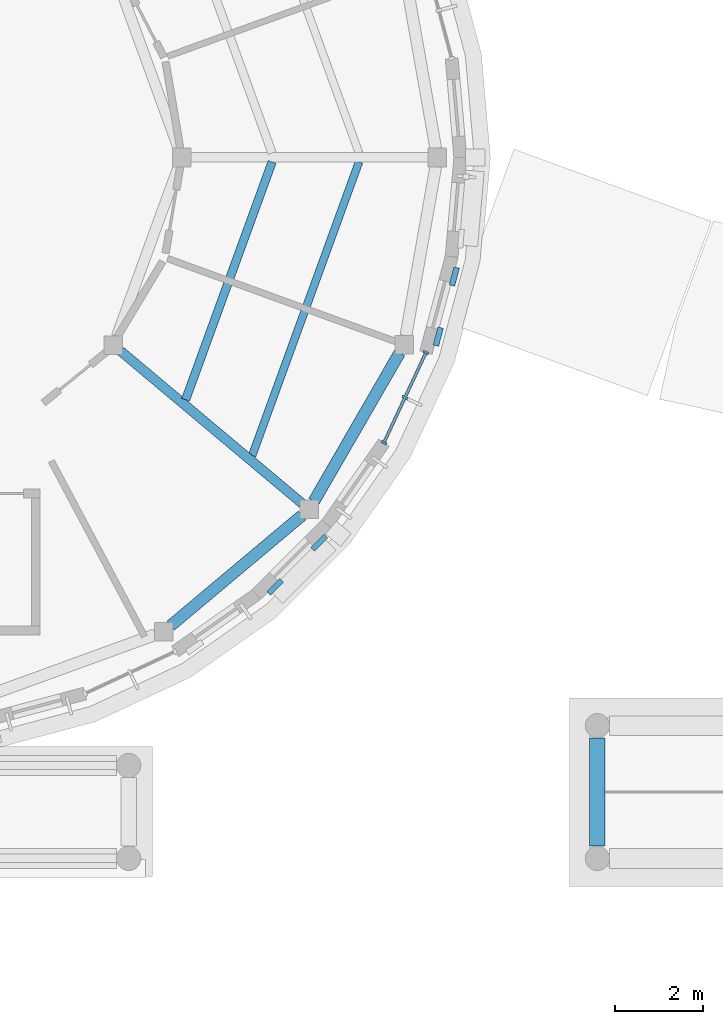
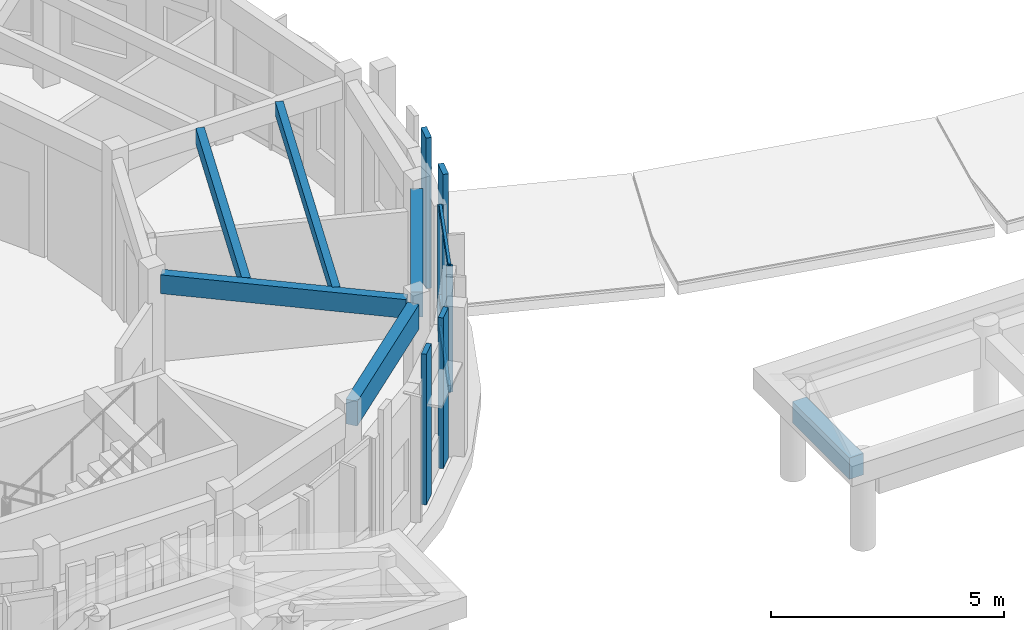
# One storey, part 6 of 80: 10 members, 6 beams, 1 element without a shape of its own.
"""IFC4 building model written with IfcOpenShell, lengths in metres."""

from ifc_helpers import new_model, si_unit, direction, frame, origin, origin_2d, place, context, subcontext, project, spatial, rectangle, extrude, material, layer, layer_set, material_profile, profile_set, type_object, element, aggregate, save


model = new_model("IFC4")

# Units and contexts
model_context = context("Model", 3, precision=1e-05, world=origin(), true_north=direction((0.0, 1.0)))
body_context = subcontext(model_context, "Body", "Model", "MODEL_VIEW")
ifc_project = project(units=[si_unit("LENGTHUNIT", "METRE"), si_unit("AREAUNIT", "SQUARE_METRE"), si_unit("VOLUMEUNIT", "CUBIC_METRE"), si_unit("PLANEANGLEUNIT", "RADIAN"), si_unit("MASSUNIT", "GRAM", prefix="KILO")], contexts=[model_context])

# Site, building, storey
site_placement = place(None, origin())
site = spatial("IfcSite", under=ifc_project, at=site_placement, CompositionType="ELEMENT")
building_placement = place(site_placement, origin())
building = spatial("IfcBuilding", under=site, at=building_placement, Name="Aldenvaro Health Centre", CompositionType="ELEMENT")
storey_placement = place(building_placement, frame((0.0, 0.0, 4.550048828125)))
storey = spatial("IfcBuildingStorey", under=building, at=storey_placement, Name="L01", CompositionType="ELEMENT", Elevation=4.550048828125)

# Beams
ifc_material_1 = material(Name="Glulam GL28h", Category="wood")
ifc_material_profile_1 = material_profile(ifc_material_1, rectangle(XDim=0.175048828125, YDim=0.35009765625, at=origin_2d()), Name="GL 175x350", Category="wood")
ifc_profile_set_1 = profile_set([ifc_material_profile_1], Name="Glulam GL28h")
beam_type_1 = type_object("IfcBeamType", Name="BM-GL-350", PredefinedType="JOIST", material=ifc_profile_set_1)
beam_1_placement = place(storey_placement, frame((26.69189453125, 11.758056640625, 3.780029296875), z_axis=(0.342009334008, 0.939696554985, 0.0), x_axis=(-0.939696554985, 0.342009334008, 0.0)))
element("IfcBeam", 1, at=beam_1_placement, inside=storey, type_object=beam_type_1, Name="D5 L01 secondary joist 05.2", PredefinedType="JOIST", context=body_context, shape_type="SweptSolid", body=[
    extrude(rectangle(XDim=0.175048828125, YDim=0.35009765625, at=origin_2d()), origin(), (0.0, 0.0, 1.0), 7.067138671875),
])
ifc_material_profile_2 = material_profile(ifc_material_1, rectangle(XDim=0.18994140625, YDim=0.41796875, at=origin_2d()), Name="GL 190x418", Category="wood")
ifc_profile_set_2 = profile_set([ifc_material_profile_2], Name="Glulam GL28h")
beam_type_2 = type_object("IfcBeamType", Name="BM-GL-418", PredefinedType="JOIST", material=ifc_profile_set_2)
beam_2_placement = place(storey_placement, frame((25.18701171875, 13.02099609375, 3.745849609375), z_axis=(0.341962269954, 0.939713682952, 0.0), x_axis=(-0.939713682952, 0.341962269954, 0.0)))
element("IfcBeam", 2, at=beam_2_placement, inside=storey, type_object=beam_type_2, Name="D5 L01 secondary joist 05.1", PredefinedType="JOIST", context=body_context, shape_type="SweptSolid", body=[
    extrude(rectangle(XDim=0.18994140625, YDim=0.41796875, at=origin_2d()), origin(), (0.0, 0.0, 1.0), 5.722900390625),
])
ifc_material_profile_3 = material_profile(ifc_material_1, rectangle(XDim=0.215087890625, YDim=0.493896484375, at=origin_2d()), Name="GL 215x494", Category="wood")
ifc_profile_set_3 = profile_set([ifc_material_profile_3], Name="Glulam GL28h")
beam_type_3 = type_object("IfcBeamType", Name="BM-GL-494", PredefinedType="BEAM", material=ifc_profile_set_3)
beam_3_placement = place(storey_placement, frame((23.717041015625, 14.123046875, 3.7080078125), z_axis=(0.765976656763, -0.64286838567, 0.0), x_axis=(0.64286838567, 0.765976656763, 0.0)))
element("IfcBeam", 3, at=beam_3_placement, inside=storey, type_object=beam_type_3, Name="D5 L01 radial beam 05", PredefinedType="BEAM", context=body_context, shape_type="SweptSolid", body=[
    extrude(rectangle(XDim=0.215087890625, YDim=0.493896484375, at=origin_2d()), origin(), (0.0, 0.0, 1.0), 5.3603515625),
])
ifc_material_profile_4 = material_profile(ifc_material_1, rectangle(XDim=0.264892578125, YDim=0.64599609375, at=origin_2d()), Name="GL 265x646", Category="wood")
ifc_profile_set_4 = profile_set([ifc_material_profile_4], Name="Glulam GL28h")
beam_type_4 = type_object("IfcBeamType", Name="BM-GL-646", PredefinedType="SPANDREL", material=ifc_profile_set_4)
for number, where, z_axis, x_axis, name in (
    (4, (24.85107421875, 7.9140625, 3.6318359375), (0.766148557247, 0.642663510889, 0.0), (-0.642663510889, 0.766148557247, 0.0), "D5 L01 perimeter spandrel 16"),
    (5, (28.089111328125, 10.72412109375, 3.6318359375), (0.499835048925, 0.866120617389, 0.0), (-0.866120617389, 0.499835048925, 0.0), "D5 L01 perimeter spandrel 17"),
):
    element("IfcBeam", number, at=place(storey_placement, frame(where, z_axis=z_axis, x_axis=x_axis)), inside=storey, type_object=beam_type_4, Name=name, PredefinedType="SPANDREL", context=body_context, shape_type="SweptSolid", body=[
        extrude(rectangle(XDim=0.264892578125, YDim=0.64599609375, at=origin_2d()), origin(), (0.0, 0.0, 1.0), 3.879150390625),
    ])
ifc_material_2 = material(Name="Concrete f'c 40 MPa", Category="concrete")
ifc_material_profile_5 = material_profile(ifc_material_2, rectangle(XDim=0.35009765625, YDim=0.56005859375, at=origin_2d()), Name="RC 350x560", Category="concrete")
ifc_profile_set_5 = profile_set([ifc_material_profile_5], Name="Concrete f'c 40 MPa")
beam_type_5 = type_object("IfcBeamType", Name="BM-RC-560E", PredefinedType="JOIST", material=ifc_profile_set_5)
beam_4_placement = place(storey_placement, frame((34.5, 2.925048828125, 1.869873046875), z_axis=(0.0, 1.0, 0.0), x_axis=(-1.0, 0.0, 0.0)))
element("IfcBeam", 6, at=beam_4_placement, inside=storey, type_object=beam_type_5, Name="South Stoa W Transverse Beam L01-1", PredefinedType="JOIST", context=body_context, shape_type="SweptSolid", body=[
    extrude(rectangle(XDim=0.35009765625, YDim=0.56005859375, at=origin_2d()), origin(), (0.0, 0.0, 1.0), 2.449951171875),
])

# Curtain wall, members
ifc_material_3 = material(Name="Anodised Aluminium 6063-T6", Category="aluminium")
ifc_layer = layer(ifc_material_3, 0.195068359375, Name="Anodised Aluminium 6063-T6", Category="aluminium")
ifc_layer_set = layer_set([ifc_layer], Name="Anodised Aluminium 6063-T6")
curtain_wall_type = type_object("IfcCurtainWallType", Name="CW-CLN-02", PredefinedType="NOTDEFINED", material=ifc_layer_set)
curtain_wall_placement = place(storey_placement, origin())
curtain_wall = element("IfcCurtainWall", 7, at=curtain_wall_placement, inside=storey, type_object=curtain_wall_type, Name="D5 L01 curtain wall bay 03", PredefinedType="NOTDEFINED")
ifc_material_profile_6 = material_profile(ifc_material_3, rectangle(XDim=0.06005859375, YDim=0.135009765625, at=origin_2d()), Name="ALU 60x135", Category="aluminium")
ifc_profile_set_6 = profile_set([ifc_material_profile_6], Name="Anodised Aluminium 6063-T6")
member_type_1 = type_object("IfcMemberType", Name="CWM-150", PredefinedType="MULLION", material=ifc_profile_set_6)
member_1_placement = place(storey_placement, frame((30.6220703125, 14.087890625, 0.0), z_axis=(0.0, 0.0, 1.0), x_axis=(-0.422495879545, -0.906364844733, 0.0)))
member_1 = element("IfcMember", 8, at=member_1_placement, type_object=member_type_1, Name="D5 L01 curtain wall bay 03 mullion 1", PredefinedType="MULLION", context=body_context, shape_type="SweptSolid", body=[
    extrude(rectangle(XDim=0.06005859375, YDim=0.135009765625, at=origin_2d()), origin(), (0.0, 0.0, 1.0), 3.308837890625),
])
member_2_placement = place(storey_placement, frame((30.14697265625, 13.069091796875, 0.0), z_axis=(0.0, 0.0, 1.0), x_axis=(-0.422495879545, -0.906364844733, 0.0)))
member_2 = element("IfcMember", 9, at=member_2_placement, type_object=member_type_1, Name="D5 L01 curtain wall bay 03 mullion 2", PredefinedType="MULLION", context=body_context, shape_type="SweptSolid", body=[
    extrude(rectangle(XDim=0.06005859375, YDim=0.135009765625, at=origin_2d()), origin(), (0.0, 0.0, 1.0), 3.308837890625),
])
member_3_placement = place(storey_placement, frame((29.672119140625, 12.050048828125, 0.0), z_axis=(0.0, 0.0, 1.0), x_axis=(-0.422495879545, -0.906364844733, 0.0)))
member_3 = element("IfcMember", 10, at=member_3_placement, type_object=member_type_1, Name="D5 L01 curtain wall bay 03 mullion 3", PredefinedType="MULLION", context=body_context, shape_type="SweptSolid", body=[
    extrude(rectangle(XDim=0.06005859375, YDim=0.135009765625, at=origin_2d()), origin(), (0.0, 0.0, 1.0), 3.308837890625),
])
ifc_material_profile_7 = material_profile(ifc_material_3, rectangle(XDim=0.06494140625, YDim=0.179931640625, at=origin_2d()), Name="ALU 65x180", Category="aluminium")
ifc_profile_set_7 = profile_set([ifc_material_profile_7], Name="Anodised Aluminium 6063-T6")
member_type_2 = type_object("IfcMemberType", Name="CWT-150", PredefinedType="USERDEFINED", material=ifc_profile_set_7)
member_4_placement = place(storey_placement, frame((30.6220703125, 14.087890625, 0.06005859375), z_axis=(-0.422504983593, -0.906360600886, 0.0), x_axis=(0.906360600886, -0.422504983593, 0.0)))
member_4 = element("IfcMember", 11, at=member_4_placement, type_object=member_type_2, Name="D5 L01 curtain wall bay 03 transom 1", ObjectType="TRANSOM", PredefinedType="USERDEFINED", context=body_context, shape_type="SweptSolid", body=[
    extrude(rectangle(XDim=0.06494140625, YDim=0.179931640625, at=origin_2d()), origin(), (0.0, 0.0, 1.0), 2.248291015625),
])
member_5_placement = place(storey_placement, frame((30.6220703125, 14.087890625, 0.89990234375), z_axis=(-0.422504983593, -0.906360600886, 0.0), x_axis=(0.906360600886, -0.422504983593, 0.0)))
member_5 = element("IfcMember", 12, at=member_5_placement, type_object=member_type_2, Name="D5 L01 curtain wall bay 03 transom 2", ObjectType="TRANSOM", PredefinedType="USERDEFINED", context=body_context, shape_type="SweptSolid", body=[
    extrude(rectangle(XDim=0.06494140625, YDim=0.179931640625, at=origin_2d()), origin(), (0.0, 0.0, 1.0), 2.248291015625),
])
member_6_placement = place(storey_placement, frame((30.6220703125, 14.087890625, 3.2490234375), z_axis=(-0.422504983593, -0.906360600886, 0.0), x_axis=(0.906360600886, -0.422504983593, 0.0)))
member_6 = element("IfcMember", 13, at=member_6_placement, type_object=member_type_2, Name="D5 L01 curtain wall bay 03 transom 3", ObjectType="TRANSOM", PredefinedType="USERDEFINED", context=body_context, shape_type="SweptSolid", body=[
    extrude(rectangle(XDim=0.06494140625, YDim=0.179931640625, at=origin_2d()), origin(), (0.0, 0.0, 1.0), 2.248291015625),
])
aggregate(curtain_wall, [member_1, member_2, member_3, member_4, member_5, member_6])

# Members
ifc_material_profile_8 = material_profile(ifc_material_1, rectangle(XDim=0.114990234375, YDim=0.419921875, at=origin_2d()), Name="GL 115x420", Category="wood")
ifc_profile_set_8 = profile_set([ifc_material_profile_8], Name="Glulam GL28h")
member_type_3 = type_object("IfcMemberType", Name="MEM-SLT-420A", PredefinedType="POST", material=ifc_profile_set_8)
for number, where, z_axis, x_axis, name in (
    (14, (28.208984375, 9.787109375, 0.0), (0.0, 0.0, 1.0), (0.707106781187, -0.707106781187, 0.0), "D5 L01 vertical timber slat 5.1"),
    (15, (27.212890625, 8.791015625, 0.0), (0.0, 0.0, 1.0), (0.707106781187, -0.707106781187, 0.0), "D5 L01 vertical timber slat 5.3"),
):
    element("IfcMember", number, at=place(storey_placement, frame(where, z_axis=z_axis, x_axis=x_axis)), inside=storey, type_object=member_type_3, Name=name, PredefinedType="POST", context=body_context, shape_type="SweptSolid", body=[
        extrude(rectangle(XDim=0.114990234375, YDim=0.419921875, at=origin_2d()), origin(), (0.0, 0.0, 1.0), 3.954833984375),
    ])
ifc_material_profile_9 = material_profile(ifc_material_1, rectangle(XDim=0.1298828125, YDim=0.419921875, at=origin_2d()), Name="GL 130x420", Category="wood")
ifc_profile_set_9 = profile_set([ifc_material_profile_9], Name="Glulam GL28h")
member_type_4 = type_object("IfcMemberType", Name="MEM-SLT-420B", PredefinedType="POST", material=ifc_profile_set_9)
for number, where, z_axis, x_axis, name in (
    (16, (31.263916015625, 15.80908203125, 0.0), (0.0, 0.0, 1.0), (0.9659242304, -0.258825000966, 0.0), "D5 L01 vertical timber slat 2.1"),
    (17, (30.89990234375, 14.447998046875, 0.0), (0.0, 0.0, 1.0), (0.9659242304, -0.258825000966, 0.0), "D5 L01 vertical timber slat 2.3"),
):
    element("IfcMember", number, at=place(storey_placement, frame(where, z_axis=z_axis, x_axis=x_axis)), inside=storey, type_object=member_type_4, Name=name, PredefinedType="POST", context=body_context, shape_type="SweptSolid", body=[
        extrude(rectangle(XDim=0.1298828125, YDim=0.419921875, at=origin_2d()), origin(), (0.0, 0.0, 1.0), 3.954833984375),
    ])

save(model, "model.ifc")
